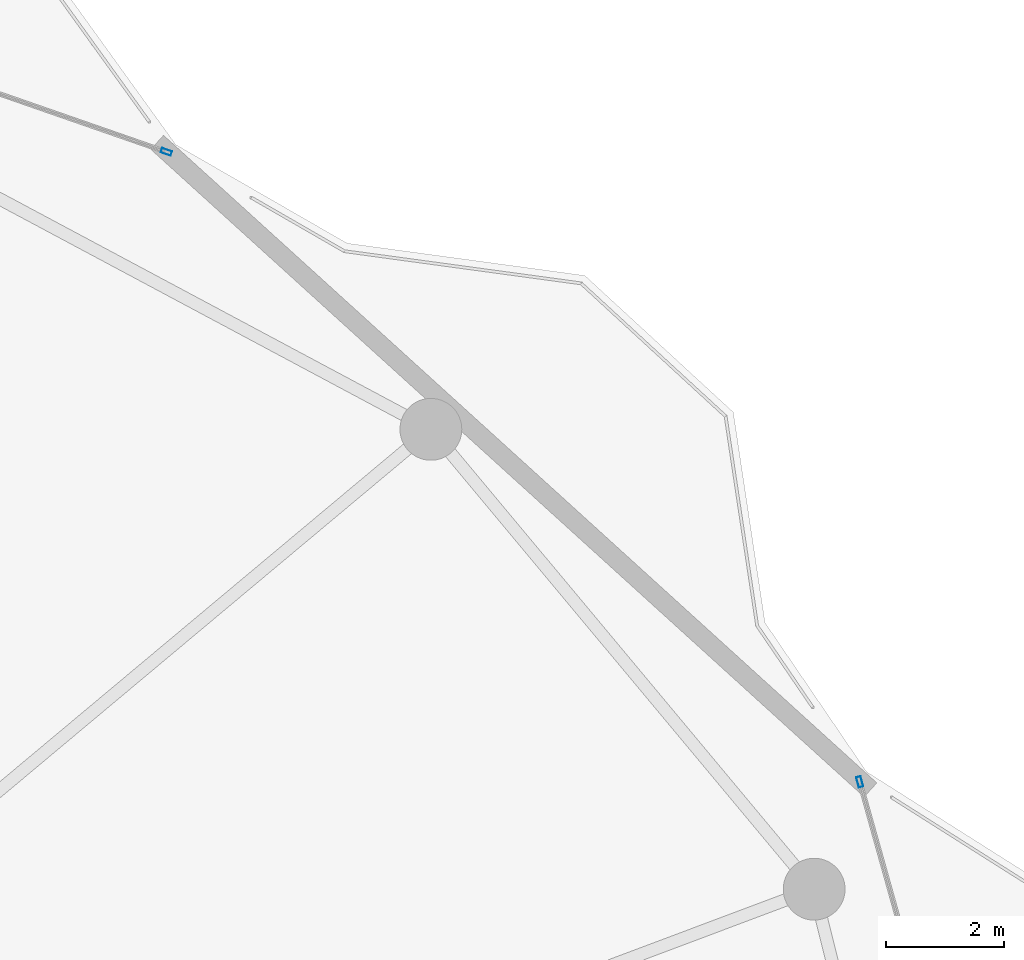
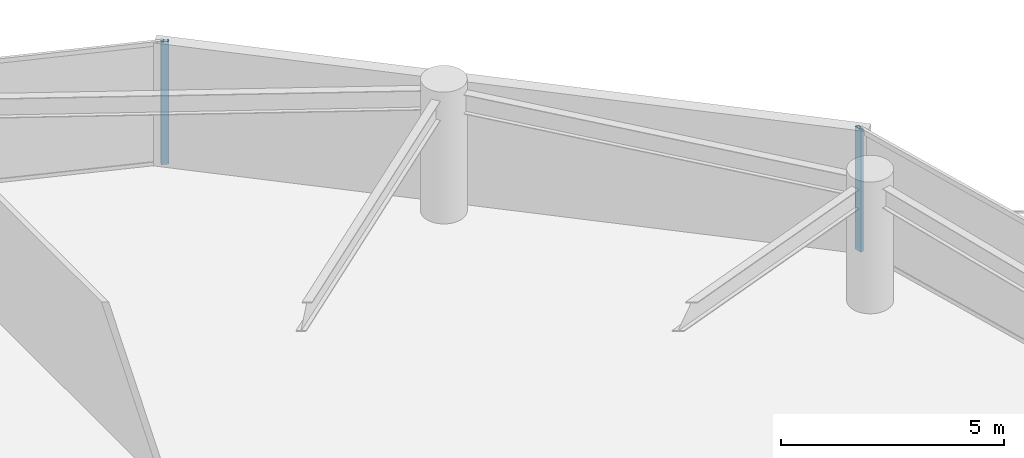
# One storey, part 21 of 29: 2 members, 2 elements without a shape of their own.
"""IFC4 building model written with IfcOpenShell, lengths in metres."""

from ifc_helpers import new_model, si_unit, direction, frame, origin, origin_2d, place, context, subcontext, project, spatial, hollow_rectangle, extrude, material, layer, layer_set, material_profile, profile_set, type_object, element, aggregate, save


model = new_model("IFC4")

# Units and contexts
model_context = context("Model", 3, precision=1e-05, world=origin(), true_north=direction((0.0, 1.0)))
body_context = subcontext(model_context, "Body", "Model", "MODEL_VIEW")
ifc_project = project(units=[si_unit("LENGTHUNIT", "METRE"), si_unit("AREAUNIT", "SQUARE_METRE"), si_unit("VOLUMEUNIT", "CUBIC_METRE"), si_unit("PLANEANGLEUNIT", "RADIAN"), si_unit("MASSUNIT", "GRAM", prefix="KILO")], contexts=[model_context])

# Site, building, storey
site_placement = place(None, origin())
site = spatial("IfcSite", under=ifc_project, at=site_placement, CompositionType="ELEMENT")
building_placement = place(site_placement, origin())
building = spatial("IfcBuilding", under=site, at=building_placement, Name="Kazevale Care Tower and Concert Hall", CompositionType="ELEMENT")
storey_placement = place(building_placement, frame((0.0, 0.0, 213.60009765625)))
storey = spatial("IfcBuildingStorey", under=building, at=storey_placement, Name="L56", CompositionType="ELEMENT", Elevation=213.60009765625)

# Curtain wall, member
ifc_material_1 = material(Name="Aluminium 6063-T6 and Low-E Glass", Category="aluminium")
ifc_layer_1 = layer(ifc_material_1, 0.179931640625)
ifc_layer_set_1 = layer_set([ifc_layer_1], Name="Aluminium 6063-T6 and Low-E Glass")
curtain_wall_type_1 = type_object("IfcCurtainWallType", Name="Convex Checkerboard Finned Curtain Wall CW-2", PredefinedType="NOTDEFINED", material=ifc_layer_set_1)
curtain_wall_1_placement = place(storey_placement, origin())
curtain_wall_1 = element("IfcCurtainWall", 1, at=curtain_wall_1_placement, inside=storey, type_object=curtain_wall_type_1, Name="cw:L56:f16", PredefinedType="NOTDEFINED")
ifc_material_2 = material(Name="Aluminium 6063-T6", Category="aluminium")
ifc_material_profile_1 = material_profile(ifc_material_2, hollow_rectangle(XDim=0.080078125, YDim=0.179931640625, WallThickness=0.0048828125, at=origin_2d()), Name="ALU80x180x5")
ifc_profile_set_1 = profile_set([ifc_material_profile_1], Name="Aluminium 6063-T6")
member_type_1 = type_object("IfcMemberType", Name="CW-2 Mullion ALU80x180x5", PredefinedType="MULLION", material=ifc_profile_set_1)
member_1_placement = place(storey_placement, frame((61.75732421875, 59.72216796875, 0.0), z_axis=(0.0, 0.0, 1.0), x_axis=(0.328583704497, 0.94447485363, 0.0)))
member_1 = element("IfcMember", 2, at=member_1_placement, type_object=member_type_1, Name="CW-2 mullion 2", PredefinedType="MULLION", context=body_context, shape_type="SweptSolid", body=[
    extrude(hollow_rectangle(XDim=0.080078125, YDim=0.179931640625, WallThickness=0.0048828125, at=origin_2d()), origin(), (0.0, 0.0, 1.0), 3.35986328125),
])
aggregate(curtain_wall_1, [member_1])

ifc_layer_2 = layer(ifc_material_1, 0.179931640625)
ifc_layer_set_2 = layer_set([ifc_layer_2], Name="Aluminium 6063-T6 and Low-E Glass")
curtain_wall_type_2 = type_object("IfcCurtainWallType", Name="Waist & Upper Residential Curtain Wall CW-4", PredefinedType="NOTDEFINED", material=ifc_layer_set_2)
curtain_wall_2_placement = place(storey_placement, origin())
curtain_wall_2 = element("IfcCurtainWall", 3, at=curtain_wall_2_placement, inside=storey, type_object=curtain_wall_type_2, Name="cw:L56:f18", PredefinedType="NOTDEFINED")
ifc_material_profile_2 = material_profile(ifc_material_2, hollow_rectangle(XDim=0.080078125, YDim=0.179931640625, WallThickness=0.0048828125, at=origin_2d()), Name="ALU80x180x5")
ifc_profile_set_2 = profile_set([ifc_material_profile_2], Name="Aluminium 6063-T6")
member_type_2 = type_object("IfcMemberType", Name="CW-4 Mullion ALU80x180x5", PredefinedType="MULLION", material=ifc_profile_set_2)
member_2_placement = place(storey_placement, frame((73.53369140625, 49.0234375, 0.0), z_axis=(0.0, 0.0, 1.0), x_axis=(0.962972156211, 0.269600864915, 0.0)))
member_2 = element("IfcMember", 4, at=member_2_placement, type_object=member_type_2, Name="CW-4 mullion 1", PredefinedType="MULLION", context=body_context, shape_type="SweptSolid", body=[
    extrude(hollow_rectangle(XDim=0.080078125, YDim=0.179931640625, WallThickness=0.0048828125, at=origin_2d()), origin(), (0.0, 0.0, 1.0), 3.35986328125),
])
aggregate(curtain_wall_2, [member_2])

save(model, "model.ifc")
